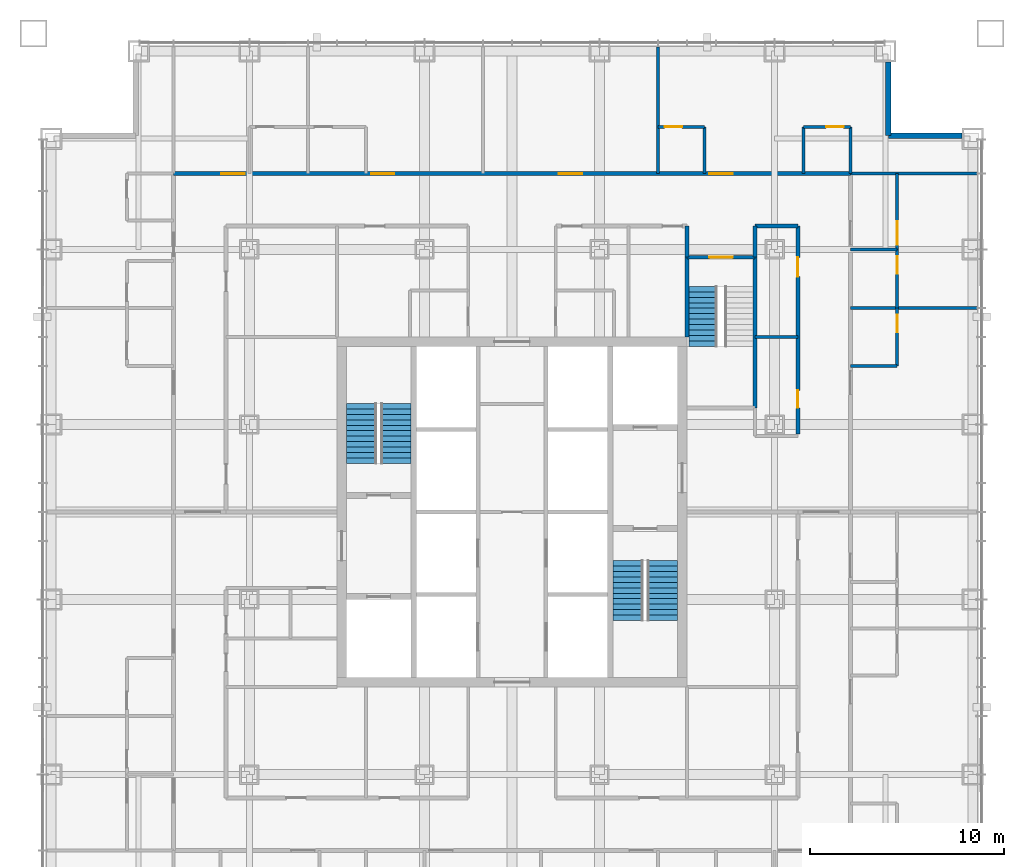
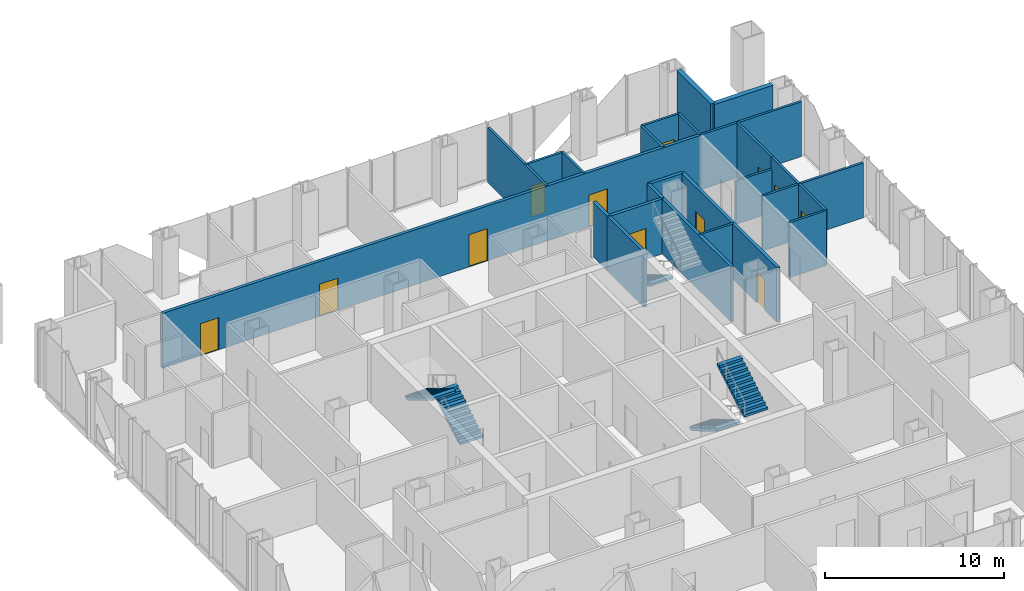
# One storey, part 12 of 14: 24 walls, 12 doors, 5 stair flights, 12 openings, 3 elements without a shape of their own.
"""IFC4 building model written with IfcOpenShell, lengths in metres."""

import ifcopenshell
import ifcopenshell.guid

model = None  # the IFC model being written
_history = None  # IfcOwnerHistory: only IFC2X3 demands one
_inside = {}  # id of a spatial element -> (the spatial element, [elements in it])
_under = {}  # id of a project, library or spatial element -> (it, [spatial elements below it])
_declared = {}  # id of a project -> (the project, [libraries it declares])
_typed = {}  # id of a type object -> (the type object, [elements of that type])
_made_of = {}  # id of a material, layer set ... -> (it, [elements and type objects made of it])


def new_model(schema):
    """Start an empty IFC model of exactly this schema.

    Asked for "IFC4X3", IfcOpenShell would pick the latest addendum, in which some entities
    have other attributes; the version numbers below select the first issue.
    IFC2X3 requires an IfcOwnerHistory on every rooted entity: one is made here for all.
    """
    global model, _history
    if schema == "IFC4X3":
        model = ifcopenshell.file(schema_version=(4, 3, 0, 0))
    else:
        model = ifcopenshell.file(schema=schema)
    _inside.clear()
    _under.clear()
    _declared.clear()
    _typed.clear()
    _made_of.clear()
    _history = None
    if model.schema == "IFC2X3":
        org = make("IfcOrganization", Name="unknown")
        user = make(
            "IfcPersonAndOrganization",
            ThePerson=make("IfcPerson", FamilyName="unknown"),
            TheOrganization=org,
        )
        app = make(
            "IfcApplication",
            ApplicationDeveloper=org,
            Version="unknown",
            ApplicationFullName="unknown",
            ApplicationIdentifier="unknown",
        )
        _history = make(
            "IfcOwnerHistory",
            OwningUser=user,
            OwningApplication=app,
            ChangeAction="ADDED",
            CreationDate=0,
        )
    return model


def make(cls, **values):
    """One entity of the class cls with the attributes given. An attribute that is None is left unset."""
    return model.create_entity(
        cls, **{name: value for name, value in values.items() if value is not None}
    )


def rooted(cls, **values):
    """An entity with a GlobalId (a new one), such as an element, a storey or a relation."""
    return make(cls, GlobalId=ifcopenshell.guid.new(), OwnerHistory=_history, **values)


def si_unit(unit_type, name, prefix=None):
    """IfcSIUnit, for example si_unit("LENGTHUNIT", "METRE", prefix="MILLI")."""
    return make("IfcSIUnit", UnitType=unit_type, Prefix=prefix, Name=name)


def assignment(units):
    """IfcUnitAssignment: the units of a project."""
    return None if units is None else make("IfcUnitAssignment", Units=units)


def point(xyz):
    """IfcCartesianPoint."""
    return None if xyz is None else make("IfcCartesianPoint", Coordinates=xyz)


def direction(xyz):
    """IfcDirection."""
    return None if xyz is None else make("IfcDirection", DirectionRatios=xyz)


def frame(location, z_axis=None, x_axis=None):
    """IfcAxis2Placement3D, a coordinate frame: its origin and axes. An axis left out is left unset."""
    return make(
        "IfcAxis2Placement3D",
        Location=point(location),
        Axis=direction(z_axis),
        RefDirection=direction(x_axis),
    )


def frame_2d(location, x_axis=None):
    """IfcAxis2Placement2D, a coordinate frame in the plane: its origin and x axis."""
    return make(
        "IfcAxis2Placement2D", Location=point(location), RefDirection=direction(x_axis)
    )


def origin():
    """The frame at (0, 0, 0) with its axes left unset."""
    return frame((0.0, 0.0, 0.0))


def place(relative_to, where):
    """IfcLocalPlacement: puts the frame where relative to a parent placement (None: the world)."""
    return make(
        "IfcLocalPlacement", PlacementRelTo=relative_to, RelativePlacement=where
    )


def context(
    kind, dimensions, precision=None, world=None, true_north=None, identifier=None
):
    """IfcGeometricRepresentationContext, for example the 3D "Model" context."""
    return make(
        "IfcGeometricRepresentationContext",
        ContextIdentifier=identifier,
        ContextType=kind,
        CoordinateSpaceDimension=dimensions,
        Precision=precision,
        WorldCoordinateSystem=world,
        TrueNorth=true_north,
    )


def subcontext(parent, identifier, kind, view, scale=None):
    """IfcGeometricRepresentationSubContext, for example "Body" below "Model"."""
    return make(
        "IfcGeometricRepresentationSubContext",
        ContextIdentifier=identifier,
        ContextType=kind,
        ParentContext=parent,
        TargetScale=scale,
        TargetView=view,
    )


def project(units=None, contexts=None):
    """IfcProject with its units and contexts."""
    return rooted(
        "IfcProject",
        Name="project",
        RepresentationContexts=contexts,
        UnitsInContext=assignment(units),
    )


def spatial(cls, under=None, at=None, **own):
    """A site, building, storey or space (cls), placed at a placement, below another one or the project."""
    s = rooted(cls, ObjectPlacement=at, **own)
    if under is not None:
        _under.setdefault(under.id(), (under, []))[1].append(s)
    return s


def polyline(points):
    """IfcPolyline through the points."""
    return make("IfcPolyline", Points=[point(p) for p in points])


def profile(cls, at=None, kind="AREA", **sizes):
    """A parametric profile (cls). Its sizes go by their IFC names, for example OverallWidth=200.0."""
    return make(cls, ProfileType=kind, Position=at, **sizes)


def rectangle(**sizes):
    """IfcRectangleProfileDef."""
    return profile("IfcRectangleProfileDef", **sizes)


def outline(outer, holes=None, kind="AREA"):
    """IfcArbitraryClosedProfileDef: a profile drawn as a closed curve; with holes, ...WithVoids."""
    if holes is None:
        return make("IfcArbitraryClosedProfileDef", ProfileType=kind, OuterCurve=outer)
    return make(
        "IfcArbitraryProfileDefWithVoids",
        ProfileType=kind,
        OuterCurve=outer,
        InnerCurves=holes,
    )


def extrude(swept, where, along, depth):
    """IfcExtrudedAreaSolid: the profile swept, set in the frame where, extruded along a direction by depth."""
    return make(
        "IfcExtrudedAreaSolid",
        SweptArea=swept,
        Position=where,
        ExtrudedDirection=direction(along),
        Depth=depth,
    )


def shape(context_of_items, identifier, shape_type, items):
    """IfcShapeRepresentation: the items that make up one representation, for example the "Body"."""
    return make(
        "IfcShapeRepresentation",
        ContextOfItems=context_of_items,
        RepresentationIdentifier=identifier,
        RepresentationType=shape_type,
        Items=items,
    )


def material(Name=None, Category=None):
    """IfcMaterial."""
    return make("IfcMaterial", Name=Name, Category=Category)


def layer(
    of_material, thickness, ventilated=None, Name=None, Category=None, Priority=None
):
    """IfcMaterialLayer: one layer of a wall or slab, of a material (None: an air gap)."""
    return make(
        "IfcMaterialLayer",
        Material=of_material,
        LayerThickness=thickness,
        IsVentilated=ventilated,
        Name=Name,
        Category=Category,
        Priority=Priority,
    )


def layer_set(layers, Name=None):
    """IfcMaterialLayerSet."""
    return make("IfcMaterialLayerSet", MaterialLayers=layers, LayerSetName=Name)


def made_of(thing, what):
    """Note that an element or type object is made of a material, layer set ...; save() writes the relation."""
    if what is not None:
        _made_of.setdefault(what.id(), (what, []))[1].append(thing)
    return thing


def type_object(cls, material=None, **own):
    """A type object (cls), such as IfcWallType, which elements share."""
    return made_of(rooted(cls, **own), material)


def element(
    cls,
    number,
    at=None,
    inside=None,
    cuts=None,
    type_object=None,
    material=None,
    context=None,
    identifier="Body",
    shape_type=None,
    held_by="IfcProductDefinitionShape",
    body=None,
    shapes=None,
    **own,
):
    """One element of the class cls, such as IfcWall. Its Tag is "e" and its number.

    at: its placement. inside: the storey or other place that contains it. cuts: it is an
    opening in that element (IfcRelVoidsElement). A single representation is given by context,
    identifier, shape_type and body (its items); several are given by shapes. held_by: the class
    of the entity that holds the representations. save() writes the other relations.
    """
    e = rooted(cls, Tag="e%d" % number, ObjectPlacement=at, **own)
    if body is not None:
        shapes = [shape(context, identifier, shape_type, body)]
    if shapes is not None:
        e.Representation = make(held_by, Representations=shapes)
    if inside is not None:
        _inside.setdefault(inside.id(), (inside, []))[1].append(e)
    if cuts is not None:
        rooted(
            "IfcRelVoidsElement", RelatingBuildingElement=cuts, RelatedOpeningElement=e
        )
    if type_object is not None:
        _typed.setdefault(type_object.id(), (type_object, []))[1].append(e)
    return made_of(e, material)


def fill(opening, filler):
    """IfcRelFillsElement: the door or window that sits in an opening."""
    return rooted(
        "IfcRelFillsElement",
        RelatingOpeningElement=opening,
        RelatedBuildingElement=filler,
    )


def aggregate(whole, parts):
    """IfcRelAggregates: a whole, such as a stair, and the parts it consists of."""
    return rooted("IfcRelAggregates", RelatingObject=whole, RelatedObjects=parts)


def save(model, path):
    """Write the relations noted so far, then the file.

    IfcRelAggregates (storeys below a building ...), IfcRelContainedInSpatialStructure (elements
    in a storey), IfcRelDefinesByType, IfcRelAssociatesMaterial and IfcRelDeclares: one each for
    every whole, place, type object, material and project.
    """
    for whole, parts in _under.values():
        aggregate(whole, parts)
    for where, things in _inside.values():
        rooted(
            "IfcRelContainedInSpatialStructure",
            RelatedElements=things,
            RelatingStructure=where,
        )
    for kind, things in _typed.values():
        rooted("IfcRelDefinesByType", RelatedObjects=things, RelatingType=kind)
    for what, things in _made_of.values():
        rooted("IfcRelAssociatesMaterial", RelatedObjects=things, RelatingMaterial=what)
    for by, libraries in _declared.values():
        rooted("IfcRelDeclares", RelatingContext=by, RelatedDefinitions=libraries)
    model.write(path)


model = new_model("IFC4")

# Units and contexts
model_context = context("Model", 3, precision=1e-05, world=origin(), true_north=direction((0.0, 1.0)))
body_context = subcontext(model_context, "Body", "Model", "MODEL_VIEW")
ifc_project = project(units=[si_unit("LENGTHUNIT", "METRE"), si_unit("AREAUNIT", "SQUARE_METRE"), si_unit("VOLUMEUNIT", "CUBIC_METRE"), si_unit("PLANEANGLEUNIT", "RADIAN"), si_unit("MASSUNIT", "GRAM", prefix="KILO")], contexts=[model_context])

# Site, building, storey
site_placement = place(None, origin())
site = spatial("IfcSite", under=ifc_project, at=site_placement, CompositionType="ELEMENT")
building_placement = place(site_placement, origin())
building = spatial("IfcBuilding", under=site, at=building_placement, Name="Malebo Sky Hospital", CompositionType="ELEMENT")
storey_placement = place(building_placement, frame((0.0, 0.0, 128.0)))
storey = spatial("IfcBuildingStorey", under=building, at=storey_placement, Name="L30", CompositionType="ELEMENT", Elevation=128.0)

# Wall, openings, doors
ifc_material_1 = material(Name="Gypsum board on steel studs", Category="steel")
ifc_layer_1 = layer(ifc_material_1, 0.199951171875)
ifc_layer_set_1 = layer_set([ifc_layer_1], Name="CORRIDOR WALL 200")
wall_type_1 = type_object("IfcWallType", Name="CORRIDOR WALL 200", PredefinedType="PARTITIONING", material=ifc_layer_set_1)
wall_1_placement = place(storey_placement, frame((42.60009765625, 79.39990234375, 0.0), z_axis=(0.0, 0.0, 1.0), x_axis=(1.0, 0.0, 0.0)))
wall_1 = element("IfcWall", 1, at=wall_1_placement, inside=storey, type_object=wall_type_1, Name="Corridor Wall 200 NCO", PredefinedType="PARTITIONING", context=body_context, shape_type="SweptSolid", body=[
    extrude(rectangle(XDim=34.7998046875, YDim=0.199951171875, at=frame_2d((17.39990234375, 0.0))), origin(), (0.0, 0.0, 1.0), 3.75),
])
opening_1_placement = place(wall_1_placement, frame((2.449951171875, 0.0, 0.0)))
opening_1 = element("IfcOpeningElement", 2, at=opening_1_placement, cuts=wall_1, Name="Opening D01", PredefinedType="OPENING", context=body_context, shape_type="SweptSolid", body=[
    extrude(rectangle(XDim=1.199951171875, YDim=2.199951171875, at=frame_2d((0.60009765625, 1.10009765625))), frame((0.0, 0.10986328125, 0.0), z_axis=(0.0, -1.0, 0.0), x_axis=(1.0, 0.0, 0.0)), (0.0, 0.0, 1.0), 0.219970703125),
])
opening_2_placement = place(wall_1_placement, frame((10.14990234375, 0.0, 0.0)))
opening_2 = element("IfcOpeningElement", 3, at=opening_2_placement, cuts=wall_1, Name="Opening D01", PredefinedType="OPENING", context=body_context, shape_type="SweptSolid", body=[
    extrude(rectangle(XDim=1.199951171875, YDim=2.199951171875, at=frame_2d((0.60009765625, 1.10009765625))), frame((0.0, 0.10986328125, 0.0), z_axis=(0.0, -1.0, 0.0), x_axis=(1.0, 0.0, 0.0)), (0.0, 0.0, 1.0), 0.219970703125),
])
opening_3_placement = place(wall_1_placement, frame((19.800048828125, 0.0, 0.0)))
opening_3 = element("IfcOpeningElement", 4, at=opening_3_placement, cuts=wall_1, Name="Opening D01", PredefinedType="OPENING", context=body_context, shape_type="SweptSolid", body=[
    extrude(rectangle(XDim=1.199951171875, YDim=2.199951171875, at=frame_2d((0.60009765625, 1.10009765625))), frame((0.0, 0.10986328125, 0.0), z_axis=(0.0, -1.0, 0.0), x_axis=(1.0, 0.0, 0.0)), (0.0, 0.0, 1.0), 0.219970703125),
])
opening_4_placement = place(wall_1_placement, frame((27.550048828125, 0.0, 0.0)))
opening_4 = element("IfcOpeningElement", 5, at=opening_4_placement, cuts=wall_1, Name="Opening D01", PredefinedType="OPENING", context=body_context, shape_type="SweptSolid", body=[
    extrude(rectangle(XDim=1.199951171875, YDim=2.199951171875, at=frame_2d((0.60009765625, 1.10009765625))), frame((0.0, 0.10986328125, 0.0), z_axis=(0.0, -1.0, 0.0), x_axis=(1.0, 0.0, 0.0)), (0.0, 0.0, 1.0), 0.219970703125),
])
ifc_material_2 = material(Name="Hardwood-faced door leaf in steel frame", Category="steel")
door_type_1 = type_object("IfcDoorType", Name="BED DOOR 1200", OperationType="SINGLE_SWING_LEFT", PredefinedType="DOOR", material=ifc_material_2)
door_1_placement = place(opening_1_placement, origin())
door_1 = element("IfcDoor", 6, at=door_1_placement, inside=storey, type_object=door_type_1, Name="Two-bed room door", OperationType="SINGLE_SWING_RIGHT", OverallHeight=2.199951171875, OverallWidth=1.199951171875, PredefinedType="DOOR", context=body_context, shape_type="SweptSolid", body=[
    extrude(rectangle(XDim=1.199951171875, YDim=2.199951171875, at=frame_2d((0.60009765625, 1.10009765625))), frame((0.0, 0.02490234375, 0.0), z_axis=(0.0, -1.0, 0.0), x_axis=(1.0, 0.0, 0.0)), (0.0, 0.0, 1.0), 0.050048828125),
])
fill(opening_1, door_1)
door_2_placement = place(opening_2_placement, origin())
door_2 = element("IfcDoor", 7, at=door_2_placement, inside=storey, type_object=door_type_1, Name="Two-bed room door", OperationType="SINGLE_SWING_LEFT", OverallHeight=2.199951171875, OverallWidth=1.199951171875, PredefinedType="DOOR", context=body_context, shape_type="SweptSolid", body=[
    extrude(rectangle(XDim=1.199951171875, YDim=2.199951171875, at=frame_2d((0.60009765625, 1.10009765625))), frame((0.0, 0.02490234375, 0.0), z_axis=(0.0, -1.0, 0.0), x_axis=(1.0, 0.0, 0.0)), (0.0, 0.0, 1.0), 0.050048828125),
])
fill(opening_2, door_2)
door_3_placement = place(opening_3_placement, origin())
door_3 = element("IfcDoor", 8, at=door_3_placement, inside=storey, type_object=door_type_1, Name="Therapy room door", OperationType="SINGLE_SWING_LEFT", OverallHeight=2.199951171875, OverallWidth=1.199951171875, PredefinedType="DOOR", context=body_context, shape_type="SweptSolid", body=[
    extrude(rectangle(XDim=1.199951171875, YDim=2.199951171875, at=frame_2d((0.60009765625, 1.10009765625))), frame((0.0, 0.02490234375, 0.0), z_axis=(0.0, -1.0, 0.0), x_axis=(1.0, 0.0, 0.0)), (0.0, 0.0, 1.0), 0.050048828125),
])
fill(opening_3, door_3)
door_4_placement = place(opening_4_placement, origin())
door_4 = element("IfcDoor", 9, at=door_4_placement, inside=storey, type_object=door_type_1, Name="Four-bed bay door", OperationType="SINGLE_SWING_LEFT", OverallHeight=2.199951171875, OverallWidth=1.199951171875, PredefinedType="DOOR", context=body_context, shape_type="SweptSolid", body=[
    extrude(rectangle(XDim=1.199951171875, YDim=2.199951171875, at=frame_2d((0.60009765625, 1.10009765625))), frame((0.0, 0.02490234375, 0.0), z_axis=(0.0, -1.0, 0.0), x_axis=(1.0, 0.0, 0.0)), (0.0, 0.0, 1.0), 0.050048828125),
])
fill(opening_4, door_4)

# Wall
wall_2_placement = place(storey_placement, frame((72.5, 76.699951171875, 0.0), z_axis=(0.0, 0.0, 1.0), x_axis=(1.0, 0.0, 0.0)))
element("IfcWall", 10, at=wall_2_placement, inside=storey, type_object=wall_type_1, Name="Corridor Wall 200 NCI2/2", PredefinedType="PARTITIONING", context=body_context, shape_type="SweptSolid", body=[
    extrude(rectangle(XDim=2.199951171875, YDim=0.199951171875, at=frame_2d((1.10009765625, 0.0))), origin(), (0.0, 0.0, 1.0), 3.75),
])

# Wall, openings, doors
wall_3_placement = place(storey_placement, frame((74.699951171875, 76.699951171875, 0.0), z_axis=(0.0, 0.0, 1.0), x_axis=(0.0, -1.0, 0.0)))
wall_3 = element("IfcWall", 11, at=wall_3_placement, inside=storey, type_object=wall_type_1, Name="Corridor Wall 200 ECI1", PredefinedType="PARTITIONING", context=body_context, shape_type="SweptSolid", body=[
    extrude(rectangle(XDim=10.699951171875, YDim=0.199951171875, at=frame_2d((5.35009765625, 0.0))), origin(), (0.0, 0.0, 1.0), 3.75),
])
opening_5_placement = place(wall_3_placement, frame((1.60009765625, 0.0, 0.0)))
opening_5 = element("IfcOpeningElement", 12, at=opening_5_placement, cuts=wall_3, Name="Opening D03", PredefinedType="OPENING", context=body_context, shape_type="SweptSolid", body=[
    extrude(rectangle(XDim=1.0, YDim=2.10009765625, at=frame_2d((0.5, 1.050048828125))), frame((0.0, 0.10986328125, 0.0), z_axis=(0.0, -1.0, 0.0), x_axis=(1.0, 0.0, 0.0)), (0.0, 0.0, 1.0), 0.219970703125),
])
opening_6_placement = place(wall_3_placement, frame((8.449951171875, 0.0, 0.0)))
opening_6 = element("IfcOpeningElement", 13, at=opening_6_placement, cuts=wall_3, Name="Opening D04", PredefinedType="OPENING", context=body_context, shape_type="SweptSolid", body=[
    extrude(rectangle(XDim=0.89990234375, YDim=2.10009765625, at=frame_2d((0.449951171875, 1.050048828125))), frame((0.0, 0.10986328125, 0.0), z_axis=(0.0, -1.0, 0.0), x_axis=(1.0, 0.0, 0.0)), (0.0, 0.0, 1.0), 0.219970703125),
])
door_type_2 = type_object("IfcDoorType", Name="ROOM DOOR 1000", OperationType="SINGLE_SWING_LEFT", PredefinedType="DOOR", material=ifc_material_2)
door_5_placement = place(opening_5_placement, origin())
door_5 = element("IfcDoor", 14, at=door_5_placement, inside=storey, type_object=door_type_2, Name="Clean utility room door", OperationType="SINGLE_SWING_LEFT", OverallHeight=2.10009765625, OverallWidth=1.0, PredefinedType="DOOR", context=body_context, shape_type="SweptSolid", body=[
    extrude(rectangle(XDim=1.0, YDim=2.10009765625, at=frame_2d((0.5, 1.050048828125))), frame((0.0, 0.02490234375, 0.0), z_axis=(0.0, -1.0, 0.0), x_axis=(1.0, 0.0, 0.0)), (0.0, 0.0, 1.0), 0.050048828125),
])
fill(opening_5, door_5)
door_type_3 = type_object("IfcDoorType", Name="ROOM DOOR 900", OperationType="SINGLE_SWING_LEFT", PredefinedType="DOOR", material=ifc_material_2)
door_6_placement = place(opening_6_placement, origin())
door_6 = element("IfcDoor", 15, at=door_6_placement, inside=storey, type_object=door_type_3, Name="Equipment store door", OperationType="SINGLE_SWING_RIGHT", OverallHeight=2.10009765625, OverallWidth=0.89990234375, PredefinedType="DOOR", context=body_context, shape_type="SweptSolid", body=[
    extrude(rectangle(XDim=0.89990234375, YDim=2.10009765625, at=frame_2d((0.449951171875, 1.050048828125))), frame((0.0, 0.02490234375, 0.0), z_axis=(0.0, -1.0, 0.0), x_axis=(1.0, 0.0, 0.0)), (0.0, 0.0, 1.0), 0.050048828125),
])
fill(opening_6, door_6)

# Walls
for number, where, z_axis, x_axis, name in (
    (16, (69.0, 75.10009765625, 0.0), (0.0, 0.0, 1.0), (0.0, 1.0, 0.0), "Corridor Wall 200 ST3AW"),
    (17, (72.5, 75.10009765625, 0.0), (0.0, 0.0, 1.0), (0.0, 1.0, 0.0), "Corridor Wall 200 ST3AE"),
):
    element("IfcWall", number, at=place(storey_placement, frame(where, z_axis=z_axis, x_axis=x_axis)), inside=storey, type_object=wall_type_1, Name=name, PredefinedType="PARTITIONING", context=body_context, shape_type="SweptSolid", body=[
        extrude(rectangle(XDim=1.599853515625, YDim=0.199951171875, at=frame_2d((0.7998046875, 0.0))), origin(), (0.0, 0.0, 1.0), 3.75),
    ])
ifc_material_3 = material(Name="Anodised aluminium rainscreen on steel framing", Category="steel")
ifc_layer_2 = layer(ifc_material_3, 0.300048828125)
ifc_layer_set_2 = layer_set([ifc_layer_2], Name="NOTCH RAINSCREEN WALL 300")
wall_type_2 = type_object("IfcWallType", Name="NOTCH RAINSCREEN WALL 300", PredefinedType="ELEMENTEDWALL", material=ifc_layer_set_2)
for number, where, z_axis, x_axis, name in (
    (18, (79.35009765625, 85.14990234375, 0.0), (0.0, 0.0, 1.0), (0.0, -1.0, 0.0), "Notch rainscreen wall N1 L30"),
    (19, (79.35009765625, 81.35009765625, 0.0), (0.0, 0.0, 1.0), (1.0, 0.0, 0.0), "Notch rainscreen wall N2 L30"),
):
    element("IfcWall", number, at=place(storey_placement, frame(where, z_axis=z_axis, x_axis=x_axis)), inside=storey, type_object=wall_type_2, Name=name, PredefinedType="ELEMENTEDWALL", context=body_context, shape_type="SweptSolid", body=[
        extrude(rectangle(XDim=3.7998046875, YDim=0.300048828125, at=frame_2d((1.89990234375, 0.0))), origin(), (0.0, 0.0, 1.0), 4.0),
    ])
ifc_layer_3 = layer(ifc_material_1, 0.14990234375)
ifc_layer_set_3 = layer_set([ifc_layer_3], Name="PARTITION 150")
wall_type_3 = type_object("IfcWallType", Name="PARTITION 150", PredefinedType="PARTITIONING", material=ifc_layer_set_3)
wall_4_placement = place(storey_placement, frame((67.5, 79.39990234375, 0.0), z_axis=(0.0, 0.0, 1.0), x_axis=(0.0, 1.0, 0.0)))
element("IfcWall", 20, at=wall_4_placement, inside=storey, type_object=wall_type_3, Name="Partition 150 NP+7.5", PredefinedType="PARTITIONING", context=body_context, shape_type="SweptSolid", body=[
    extrude(rectangle(XDim=6.510009765625, YDim=0.14990234375, at=frame_2d((3.2548828125, 0.0))), origin(), (0.0, 0.0, 1.0), 3.75),
])

# Wall, opening, door
wall_5_placement = place(storey_placement, frame((67.5, 81.800048828125, 0.0), z_axis=(0.0, 0.0, 1.0), x_axis=(1.0, 0.0, 0.0)))
wall_5 = element("IfcWall", 21, at=wall_5_placement, inside=storey, type_object=wall_type_3, Name="Partition 150 NE3F", PredefinedType="PARTITIONING", context=body_context, shape_type="SweptSolid", body=[
    extrude(rectangle(XDim=2.39990234375, YDim=0.14990234375, at=frame_2d((1.199951171875, 0.0))), origin(), (0.0, 0.0, 1.0), 3.75),
])
opening_7_placement = place(wall_5_placement, frame((0.35009765625, 0.0, 0.0)))
opening_7 = element("IfcOpeningElement", 22, at=opening_7_placement, cuts=wall_5, Name="Opening D02", PredefinedType="OPENING", context=body_context, shape_type="SweptSolid", body=[
    extrude(rectangle(XDim=0.89990234375, YDim=2.10009765625, at=frame_2d((0.449951171875, 1.050048828125))), frame((0.0, 0.0849609375, 0.0), z_axis=(0.0, -1.0, 0.0), x_axis=(1.0, 0.0, 0.0)), (0.0, 0.0, 1.0), 0.169921875),
])
door_type_4 = type_object("IfcDoorType", Name="EN-SUITE DOOR 900", OperationType="SINGLE_SWING_LEFT", PredefinedType="DOOR", material=ifc_material_2)
door_7_placement = place(opening_7_placement, origin())
door_7 = element("IfcDoor", 23, at=door_7_placement, inside=storey, type_object=door_type_4, Name="En-suite door", OperationType="SINGLE_SWING_LEFT", OverallHeight=2.10009765625, OverallWidth=0.89990234375, PredefinedType="DOOR", context=body_context, shape_type="SweptSolid", body=[
    extrude(rectangle(XDim=0.89990234375, YDim=2.10009765625, at=frame_2d((0.449951171875, 1.050048828125))), frame((0.0, 0.02490234375, 0.0), z_axis=(0.0, -1.0, 0.0), x_axis=(1.0, 0.0, 0.0)), (0.0, 0.0, 1.0), 0.050048828125),
])
fill(opening_7, door_7)

# Wall
wall_6_placement = place(storey_placement, frame((69.89990234375, 79.39990234375, 0.0), z_axis=(0.0, 0.0, 1.0), x_axis=(0.0, 1.0, 0.0)))
element("IfcWall", 24, at=wall_6_placement, inside=storey, type_object=wall_type_3, Name="Partition 150 NE3S", PredefinedType="PARTITIONING", context=body_context, shape_type="SweptSolid", body=[
    extrude(rectangle(XDim=2.400146484375, YDim=0.14990234375, at=frame_2d((1.2001953125, 0.0))), origin(), (0.0, 0.0, 1.0), 3.75),
])

# Wall, opening, door
wall_7_placement = place(storey_placement, frame((75.0, 81.800048828125, 0.0), z_axis=(0.0, 0.0, 1.0), x_axis=(1.0, 0.0, 0.0)))
wall_7 = element("IfcWall", 25, at=wall_7_placement, inside=storey, type_object=wall_type_3, Name="Partition 150 NG3F", PredefinedType="PARTITIONING", context=body_context, shape_type="SweptSolid", body=[
    extrude(rectangle(XDim=2.39990234375, YDim=0.14990234375, at=frame_2d((1.199951171875, 0.0))), origin(), (0.0, 0.0, 1.0), 3.75),
])
opening_8_placement = place(wall_7_placement, frame((1.14990234375, 0.0, 0.0)))
opening_8 = element("IfcOpeningElement", 26, at=opening_8_placement, cuts=wall_7, Name="Opening D02", PredefinedType="OPENING", context=body_context, shape_type="SweptSolid", body=[
    extrude(rectangle(XDim=0.89990234375, YDim=2.10009765625, at=frame_2d((0.449951171875, 1.050048828125))), frame((0.0, 0.0849609375, 0.0), z_axis=(0.0, -1.0, 0.0), x_axis=(1.0, 0.0, 0.0)), (0.0, 0.0, 1.0), 0.169921875),
])
door_8_placement = place(opening_8_placement, origin())
door_8 = element("IfcDoor", 27, at=door_8_placement, inside=storey, type_object=door_type_4, Name="En-suite door", OperationType="SINGLE_SWING_RIGHT", OverallHeight=2.10009765625, OverallWidth=0.89990234375, PredefinedType="DOOR", context=body_context, shape_type="SweptSolid", body=[
    extrude(rectangle(XDim=0.89990234375, YDim=2.10009765625, at=frame_2d((0.449951171875, 1.050048828125))), frame((0.0, 0.02490234375, 0.0), z_axis=(0.0, -1.0, 0.0), x_axis=(1.0, 0.0, 0.0)), (0.0, 0.0, 1.0), 0.050048828125),
])
fill(opening_8, door_8)

# Walls
for number, where, z_axis, x_axis, name in (
    (28, (75.0, 79.39990234375, 0.0), (0.0, 0.0, 1.0), (0.0, 1.0, 0.0), "Partition 150 NG3S"),
    (29, (77.39990234375, 79.39990234375, 0.0), (0.0, 0.0, 1.0), (0.0, 1.0, 0.0), "Partition 150 NEZ"),
):
    element("IfcWall", number, at=place(storey_placement, frame(where, z_axis=z_axis, x_axis=x_axis)), inside=storey, type_object=wall_type_3, Name=name, PredefinedType="PARTITIONING", context=body_context, shape_type="SweptSolid", body=[
        extrude(rectangle(XDim=2.400146484375, YDim=0.14990234375, at=frame_2d((1.2001953125, 0.0))), origin(), (0.0, 0.0, 1.0), 3.75),
    ])
for number, where, z_axis, x_axis, name in (
    (30, (77.39990234375, 72.5, 0.0), (0.0, 0.0, 1.0), (1.0, 0.0, 0.0), "Partition 150 EP-10.5"),
    (31, (77.39990234375, 79.39990234375, 0.0), (0.0, 0.0, 1.0), (1.0, 0.0, 0.0), "Partition 150 EP0"),
):
    element("IfcWall", number, at=place(storey_placement, frame(where, z_axis=z_axis, x_axis=x_axis)), inside=storey, type_object=wall_type_3, Name=name, PredefinedType="PARTITIONING", context=body_context, shape_type="SweptSolid", body=[
        extrude(rectangle(XDim=6.510009765625, YDim=0.14990234375, at=frame_2d((3.2548828125, 0.0))), origin(), (0.0, 0.0, 1.0), 3.75),
    ])

# Wall, opening, door
wall_8_placement = place(storey_placement, frame((79.800048828125, 75.5, 0.0), z_axis=(0.0, 0.0, 1.0), x_axis=(0.0, -1.0, 0.0)))
wall_8 = element("IfcWall", 32, at=wall_8_placement, inside=storey, type_object=wall_type_3, Name="Partition 150 EE0F", PredefinedType="PARTITIONING", context=body_context, shape_type="SweptSolid", body=[
    extrude(rectangle(XDim=3.0, YDim=0.14990234375, at=frame_2d((1.5, 0.0))), origin(), (0.0, 0.0, 1.0), 3.75),
])
opening_9_placement = place(wall_8_placement, frame((0.35009765625, 0.0, 0.0)))
opening_9 = element("IfcOpeningElement", 33, at=opening_9_placement, cuts=wall_8, Name="Opening D02", PredefinedType="OPENING", context=body_context, shape_type="SweptSolid", body=[
    extrude(rectangle(XDim=0.89990234375, YDim=2.10009765625, at=frame_2d((0.449951171875, 1.050048828125))), frame((0.0, 0.0849609375, 0.0), z_axis=(0.0, -1.0, 0.0), x_axis=(1.0, 0.0, 0.0)), (0.0, 0.0, 1.0), 0.169921875),
])
door_9_placement = place(opening_9_placement, origin())
door_9 = element("IfcDoor", 34, at=door_9_placement, inside=storey, type_object=door_type_4, Name="En-suite door", OperationType="SINGLE_SWING_LEFT", OverallHeight=2.10009765625, OverallWidth=0.89990234375, PredefinedType="DOOR", context=body_context, shape_type="SweptSolid", body=[
    extrude(rectangle(XDim=0.89990234375, YDim=2.10009765625, at=frame_2d((0.449951171875, 1.050048828125))), frame((0.0, 0.02490234375, 0.0), z_axis=(0.0, -1.0, 0.0), x_axis=(1.0, 0.0, 0.0)), (0.0, 0.0, 1.0), 0.050048828125),
])
fill(opening_9, door_9)

# Wall
wall_9_placement = place(storey_placement, frame((77.39990234375, 75.5, 0.0), z_axis=(0.0, 0.0, 1.0), x_axis=(1.0, 0.0, 0.0)))
element("IfcWall", 35, at=wall_9_placement, inside=storey, type_object=wall_type_3, Name="Partition 150 EE0S", PredefinedType="PARTITIONING", context=body_context, shape_type="SweptSolid", body=[
    extrude(rectangle(XDim=2.400146484375, YDim=0.14990234375, at=frame_2d((1.2001953125, 0.0))), origin(), (0.0, 0.0, 1.0), 2.949951171875),
])

# Wall, opening, door
wall_10_placement = place(storey_placement, frame((79.800048828125, 72.5, 0.0), z_axis=(0.0, 0.0, 1.0), x_axis=(0.0, -1.0, 0.0)))
wall_10 = element("IfcWall", 36, at=wall_10_placement, inside=storey, type_object=wall_type_3, Name="Partition 150 EE1F", PredefinedType="PARTITIONING", context=body_context, shape_type="SweptSolid", body=[
    extrude(rectangle(XDim=3.0, YDim=0.14990234375, at=frame_2d((1.5, 0.0))), origin(), (0.0, 0.0, 1.0), 3.75),
])
opening_10_placement = place(wall_10_placement, frame((0.35009765625, 0.0, 0.0)))
opening_10 = element("IfcOpeningElement", 37, at=opening_10_placement, cuts=wall_10, Name="Opening D02", PredefinedType="OPENING", context=body_context, shape_type="SweptSolid", body=[
    extrude(rectangle(XDim=0.89990234375, YDim=2.10009765625, at=frame_2d((0.449951171875, 1.050048828125))), frame((0.0, 0.0849609375, 0.0), z_axis=(0.0, -1.0, 0.0), x_axis=(1.0, 0.0, 0.0)), (0.0, 0.0, 1.0), 0.169921875),
])
door_10_placement = place(opening_10_placement, origin())
door_10 = element("IfcDoor", 38, at=door_10_placement, inside=storey, type_object=door_type_4, Name="En-suite door", OperationType="SINGLE_SWING_LEFT", OverallHeight=2.10009765625, OverallWidth=0.89990234375, PredefinedType="DOOR", context=body_context, shape_type="SweptSolid", body=[
    extrude(rectangle(XDim=0.89990234375, YDim=2.10009765625, at=frame_2d((0.449951171875, 1.050048828125))), frame((0.0, 0.02490234375, 0.0), z_axis=(0.0, -1.0, 0.0), x_axis=(1.0, 0.0, 0.0)), (0.0, 0.0, 1.0), 0.050048828125),
])
fill(opening_10, door_10)

# Walls
wall_11_placement = place(storey_placement, frame((77.39990234375, 69.5, 0.0), z_axis=(0.0, 0.0, 1.0), x_axis=(1.0, 0.0, 0.0)))
element("IfcWall", 39, at=wall_11_placement, inside=storey, type_object=wall_type_3, Name="Partition 150 EE1S", PredefinedType="PARTITIONING", context=body_context, shape_type="SweptSolid", body=[
    extrude(rectangle(XDim=2.400146484375, YDim=0.14990234375, at=frame_2d((1.2001953125, 0.0))), origin(), (0.0, 0.0, 1.0), 3.75),
])
wall_12_placement = place(storey_placement, frame((72.5, 71.0, 0.0), z_axis=(0.0, 0.0, 1.0), x_axis=(1.0, 0.0, 0.0)))
element("IfcWall", 40, at=wall_12_placement, inside=storey, type_object=wall_type_3, Name="Partition 150 ESP0", PredefinedType="PARTITIONING", context=body_context, shape_type="SweptSolid", body=[
    extrude(rectangle(XDim=2.199951171875, YDim=0.14990234375, at=frame_2d((1.10009765625, 0.0))), origin(), (0.0, 0.0, 1.0), 3.75),
])

# Wall, opening, door
ifc_material_4 = material(Name="Sealed gypsum board on steel studs, taped to the slab", Category="steel")
ifc_layer_4 = layer(ifc_material_4, 0.14990234375)
ifc_layer_set_4 = layer_set([ifc_layer_4], Name="SEALED ISOLATION PARTITION 150")
wall_type_4 = type_object("IfcWallType", Name="SEALED ISOLATION PARTITION 150", PredefinedType="PARTITIONING", material=ifc_layer_set_4)
wall_13_placement = place(storey_placement, frame((79.800048828125, 79.39990234375, 0.0), z_axis=(0.0, 0.0, 1.0), x_axis=(0.0, -1.0, 0.0)))
wall_13 = element("IfcWall", 41, at=wall_13_placement, inside=storey, type_object=wall_type_4, Name="Sealed Isolation Partition 150 EA0F", PredefinedType="PARTITIONING", context=body_context, shape_type="SweptSolid", body=[
    extrude(rectangle(XDim=3.89990234375, YDim=0.14990234375, at=frame_2d((1.949951171875, 0.0))), origin(), (0.0, 0.0, 1.0), 3.75),
])
opening_11_placement = place(wall_13_placement, frame((2.449951171875, 0.0, 0.0)))
opening_11 = element("IfcOpeningElement", 42, at=opening_11_placement, cuts=wall_13, Name="Opening D19", PredefinedType="OPENING", context=body_context, shape_type="SweptSolid", body=[
    extrude(rectangle(XDim=1.199951171875, YDim=2.199951171875, at=frame_2d((0.60009765625, 1.10009765625))), frame((0.0, 0.0849609375, 0.0), z_axis=(0.0, -1.0, 0.0), x_axis=(1.0, 0.0, 0.0)), (0.0, 0.0, 1.0), 0.169921875),
])
ifc_material_5 = material(Name="Hardwood-faced door leaf with perimeter seals in steel frame", Category="steel")
door_type_5 = type_object("IfcDoorType", Name="SEALED ISOLATION ROOM DOOR 1200", OperationType="SINGLE_SWING_LEFT", PredefinedType="DOOR", material=ifc_material_5)
door_11_placement = place(opening_11_placement, origin())
door_11 = element("IfcDoor", 43, at=door_11_placement, inside=storey, type_object=door_type_5, Name="Isolation room door", OperationType="SINGLE_SWING_RIGHT", OverallHeight=2.199951171875, OverallWidth=1.199951171875, PredefinedType="DOOR", context=body_context, shape_type="SweptSolid", body=[
    extrude(rectangle(XDim=1.199951171875, YDim=2.199951171875, at=frame_2d((0.60009765625, 1.10009765625))), frame((0.0, 0.02490234375, 0.0), z_axis=(0.0, -1.0, 0.0), x_axis=(1.0, 0.0, 0.0)), (0.0, 0.0, 1.0), 0.050048828125),
])
fill(opening_11, door_11)

# Walls
ifc_material_6 = material(Name="Concrete C40/50", Category="concrete")
ifc_layer_5 = layer(ifc_material_6, 0.199951171875)
ifc_layer_set_5 = layer_set([ifc_layer_5], Name="STAIR ENCLOSURE WALL 200")
wall_type_5 = type_object("IfcWallType", Name="STAIR ENCLOSURE WALL 200", PredefinedType="SOLIDWALL", material=ifc_layer_set_5)
wall_14_placement = place(storey_placement, frame((69.0, 71.0, 0.0), z_axis=(0.0, 0.0, 1.0), x_axis=(0.0, 1.0, 0.0)))
element("IfcWall", 44, at=wall_14_placement, inside=storey, type_object=wall_type_5, Name="Stair Enclosure Wall 200 ST3W", PredefinedType="SOLIDWALL", context=body_context, shape_type="SweptSolid", body=[
    extrude(rectangle(XDim=4.10009765625, YDim=0.199951171875, at=frame_2d((2.050048828125, 0.0))), origin(), (0.0, 0.0, 1.0), 3.75),
])
wall_15_placement = place(storey_placement, frame((72.5, 67.35009765625, 0.0), z_axis=(0.0, 0.0, 1.0), x_axis=(0.0, 1.0, 0.0)))
element("IfcWall", 45, at=wall_15_placement, inside=storey, type_object=wall_type_5, Name="Stair Enclosure Wall 200 ST3E", PredefinedType="SOLIDWALL", context=body_context, shape_type="SweptSolid", body=[
    extrude(rectangle(XDim=7.75, YDim=0.199951171875, at=frame_2d((3.875, 0.0))), origin(), (0.0, 0.0, 1.0), 3.75),
])

# Wall, opening, door
wall_16_placement = place(storey_placement, frame((69.0, 75.10009765625, 0.0), z_axis=(0.0, 0.0, 1.0), x_axis=(1.0, 0.0, 0.0)))
wall_16 = element("IfcWall", 46, at=wall_16_placement, inside=storey, type_object=wall_type_5, Name="Stair Enclosure Wall 200 ST3N", PredefinedType="SOLIDWALL", context=body_context, shape_type="SweptSolid", body=[
    extrude(rectangle(XDim=3.5, YDim=0.199951171875, at=frame_2d((1.75, 0.0))), origin(), (0.0, 0.0, 1.0), 3.75),
])
opening_12_placement = place(wall_16_placement, frame((1.14990234375, 0.0, 0.0)))
opening_12 = element("IfcOpeningElement", 47, at=opening_12_placement, cuts=wall_16, Name="Opening D08", PredefinedType="OPENING", context=body_context, shape_type="SweptSolid", body=[
    extrude(rectangle(XDim=1.199951171875, YDim=2.10009765625, at=frame_2d((0.60009765625, 1.050048828125))), frame((0.0, 0.10986328125, 0.0), z_axis=(0.0, -1.0, 0.0), x_axis=(1.0, 0.0, 0.0)), (0.0, 0.0, 1.0), 0.219970703125),
])
door_type_6 = type_object("IfcDoorType", Name="STAIR DOOR 1200", OperationType="SINGLE_SWING_LEFT", PredefinedType="DOOR", material=ifc_material_2)
door_12_placement = place(opening_12_placement, origin())
door_12 = element("IfcDoor", 48, at=door_12_placement, inside=storey, type_object=door_type_6, Name="Stair S3 door", OperationType="SINGLE_SWING_LEFT", OverallHeight=2.10009765625, OverallWidth=1.199951171875, PredefinedType="DOOR", context=body_context, shape_type="SweptSolid", body=[
    extrude(rectangle(XDim=1.199951171875, YDim=2.10009765625, at=frame_2d((0.60009765625, 1.050048828125))), frame((0.0, 0.02490234375, 0.0), z_axis=(0.0, -1.0, 0.0), x_axis=(1.0, 0.0, 0.0)), (0.0, 0.0, 1.0), 0.050048828125),
])
fill(opening_12, door_12)

# Stair, stair flight
stair_type_1 = type_object("IfcStairType", Name="HALF-TURN STAIR 1400 R167", PredefinedType="HALF_TURN_STAIR", material=ifc_material_6)
stair_1_placement = place(storey_placement, origin())
stair_1 = element("IfcStair", 49, at=stair_1_placement, inside=storey, type_object=stair_type_1, Name="Stair S3 L30 type ST1B", PredefinedType="HALF_TURN_STAIR")
stair_flight_type_1 = type_object("IfcStairFlightType", Name="STAIR FLIGHT 1400 R167", PredefinedType="STRAIGHT", material=ifc_material_6)
stair_flight_1_placement = place(storey_placement, frame((69.800048828125, 73.60009765625, 0.0), z_axis=(0.0, 0.0, 1.0), x_axis=(0.0, -1.0, 0.0)))
stair_flight_1 = element("IfcStairFlight", 50, at=stair_flight_1_placement, type_object=stair_flight_type_1, Name="S3 flight 1 type SF1B", NumberOfRisers=12, NumberOfTreads=11, PredefinedType="STRAIGHT", RiserHeight=0.166666667, TreadLength=0.28, context=body_context, shape_type="SweptSolid", body=[
    extrude(outline(polyline([(0.0, 0.0), (0.0, 0.166748046875), (0.280029296875, 0.166748046875), (0.280029296875, 0.333251953125), (0.56005859375, 0.333251953125), (0.56005859375, 0.5), (0.840087890625, 0.5), (0.840087890625, 0.666748046875), (1.1201171875, 0.666748046875), (1.1201171875, 0.833251953125), (1.39990234375, 0.833251953125), (1.39990234375, 1.0), (1.679931640625, 1.0), (1.679931640625, 1.166748046875), (1.9599609375, 1.166748046875), (1.9599609375, 1.333251953125), (2.239990234375, 1.333251953125), (2.239990234375, 1.5), (2.52001953125, 1.5), (2.52001953125, 1.666748046875), (2.800048828125, 1.666748046875), (2.800048828125, 1.833251953125), (3.080078125, 1.833251953125), (3.080078125, 2.0), (3.080078125, 1.658935546875), (0.29296875, 0.0), (0.0, 0.0)])), frame((0.0, 0.699951171875, 0.0), z_axis=(0.0, -1.0, 0.0), x_axis=(1.0, 0.0, 0.0)), (0.0, 0.0, 1.0), 1.39990234375),
])
aggregate(stair_1, [stair_flight_1])

# Stair, stair flights
stair_type_2 = type_object("IfcStairType", Name="HALF-TURN STAIR 1500 R167", PredefinedType="HALF_TURN_STAIR", material=ifc_material_6)
stair_2_placement = place(storey_placement, origin())
stair_2 = element("IfcStair", 51, at=stair_2_placement, inside=storey, type_object=stair_type_2, Name="Stair S1 L30 type ST1", PredefinedType="HALF_TURN_STAIR")
stair_flight_type_2 = type_object("IfcStairFlightType", Name="STAIR FLIGHT 1500 R167", PredefinedType="STRAIGHT", material=ifc_material_6)
stair_flight_2_placement = place(storey_placement, frame((54.050048828125, 64.5, 0.0), z_axis=(0.0, 0.0, 1.0), x_axis=(0.0, 1.0, 0.0)))
stair_flight_2 = element("IfcStairFlight", 52, at=stair_flight_2_placement, type_object=stair_flight_type_2, Name="S1 flight 1 type SF1", NumberOfRisers=12, NumberOfTreads=11, PredefinedType="STRAIGHT", RiserHeight=0.166666667, TreadLength=0.28, context=body_context, shape_type="SweptSolid", body=[
    extrude(outline(polyline([(0.0, 0.0), (0.0, 0.166748046875), (0.280029296875, 0.166748046875), (0.280029296875, 0.333251953125), (0.56005859375, 0.333251953125), (0.56005859375, 0.5), (0.840087890625, 0.5), (0.840087890625, 0.666748046875), (1.1201171875, 0.666748046875), (1.1201171875, 0.833251953125), (1.39990234375, 0.833251953125), (1.39990234375, 1.0), (1.679931640625, 1.0), (1.679931640625, 1.166748046875), (1.9599609375, 1.166748046875), (1.9599609375, 1.333251953125), (2.239990234375, 1.333251953125), (2.239990234375, 1.5), (2.52001953125, 1.5), (2.52001953125, 1.666748046875), (2.800048828125, 1.666748046875), (2.800048828125, 1.833251953125), (3.080078125, 1.833251953125), (3.080078125, 2.0), (3.080078125, 1.658935546875), (0.29296875, 0.0), (0.0, 0.0)])), frame((0.0, 0.75, 0.0), z_axis=(0.0, -1.0, 0.0), x_axis=(1.0, 0.0, 0.0)), (0.0, 0.0, 1.0), 1.5),
])
stair_flight_3_placement = place(storey_placement, frame((52.25, 67.580078125, 2.0), z_axis=(0.0, 0.0, 1.0), x_axis=(0.0, -1.0, 0.0)))
stair_flight_3 = element("IfcStairFlight", 53, at=stair_flight_3_placement, type_object=stair_flight_type_2, Name="S1 flight 2 type SF1", NumberOfRisers=12, NumberOfTreads=11, PredefinedType="STRAIGHT", RiserHeight=0.166666667, TreadLength=0.28, context=body_context, shape_type="SweptSolid", body=[
    extrude(outline(polyline([(0.0, 0.0), (0.0, 0.166748046875), (0.280029296875, 0.166748046875), (0.280029296875, 0.333251953125), (0.56005859375, 0.333251953125), (0.56005859375, 0.5), (0.840087890625, 0.5), (0.840087890625, 0.666748046875), (1.1201171875, 0.666748046875), (1.1201171875, 0.833251953125), (1.39990234375, 0.833251953125), (1.39990234375, 1.0), (1.679931640625, 1.0), (1.679931640625, 1.166748046875), (1.9599609375, 1.166748046875), (1.9599609375, 1.333251953125), (2.239990234375, 1.333251953125), (2.239990234375, 1.5), (2.52001953125, 1.5), (2.52001953125, 1.666748046875), (2.800048828125, 1.666748046875), (2.800048828125, 1.833251953125), (3.080078125, 1.833251953125), (3.080078125, 2.0), (3.080078125, 1.658935546875), (0.29296875, 0.0), (0.0, 0.0)])), frame((0.0, 0.75, 0.0), z_axis=(0.0, -1.0, 0.0), x_axis=(1.0, 0.0, 0.0)), (0.0, 0.0, 1.0), 1.5),
])
aggregate(stair_2, [stair_flight_2, stair_flight_3])

stair_3_placement = place(storey_placement, origin())
stair_3 = element("IfcStair", 54, at=stair_3_placement, inside=storey, type_object=stair_type_2, Name="Stair S2 L30 type ST1", PredefinedType="HALF_TURN_STAIR")
stair_flight_4_placement = place(storey_placement, frame((65.949951171875, 59.5, 0.0), z_axis=(0.0, 0.0, 1.0), x_axis=(0.0, -1.0, 0.0)))
stair_flight_4 = element("IfcStairFlight", 55, at=stair_flight_4_placement, type_object=stair_flight_type_2, Name="S2 flight 1 type SF1", NumberOfRisers=12, NumberOfTreads=11, PredefinedType="STRAIGHT", RiserHeight=0.166666667, TreadLength=0.28, context=body_context, shape_type="SweptSolid", body=[
    extrude(outline(polyline([(0.0, 0.0), (0.0, 0.166748046875), (0.280029296875, 0.166748046875), (0.280029296875, 0.333251953125), (0.56005859375, 0.333251953125), (0.56005859375, 0.5), (0.840087890625, 0.5), (0.840087890625, 0.666748046875), (1.1201171875, 0.666748046875), (1.1201171875, 0.833251953125), (1.39990234375, 0.833251953125), (1.39990234375, 1.0), (1.679931640625, 1.0), (1.679931640625, 1.166748046875), (1.9599609375, 1.166748046875), (1.9599609375, 1.333251953125), (2.239990234375, 1.333251953125), (2.239990234375, 1.5), (2.52001953125, 1.5), (2.52001953125, 1.666748046875), (2.800048828125, 1.666748046875), (2.800048828125, 1.833251953125), (3.080078125, 1.833251953125), (3.080078125, 2.0), (3.080078125, 1.658935546875), (0.29296875, 0.0), (0.0, 0.0)])), frame((0.0, 0.75, 0.0), z_axis=(0.0, -1.0, 0.0), x_axis=(1.0, 0.0, 0.0)), (0.0, 0.0, 1.0), 1.5),
])
stair_flight_5_placement = place(storey_placement, frame((67.75, 56.419921875, 2.0), z_axis=(0.0, 0.0, 1.0), x_axis=(0.0, 1.0, 0.0)))
stair_flight_5 = element("IfcStairFlight", 56, at=stair_flight_5_placement, type_object=stair_flight_type_2, Name="S2 flight 2 type SF1", NumberOfRisers=12, NumberOfTreads=11, PredefinedType="STRAIGHT", RiserHeight=0.166666667, TreadLength=0.28, context=body_context, shape_type="SweptSolid", body=[
    extrude(outline(polyline([(0.0, 0.0), (0.0, 0.166748046875), (0.280029296875, 0.166748046875), (0.280029296875, 0.333251953125), (0.56005859375, 0.333251953125), (0.56005859375, 0.5), (0.840087890625, 0.5), (0.840087890625, 0.666748046875), (1.1201171875, 0.666748046875), (1.1201171875, 0.833251953125), (1.39990234375, 0.833251953125), (1.39990234375, 1.0), (1.679931640625, 1.0), (1.679931640625, 1.166748046875), (1.9599609375, 1.166748046875), (1.9599609375, 1.333251953125), (2.239990234375, 1.333251953125), (2.239990234375, 1.5), (2.52001953125, 1.5), (2.52001953125, 1.666748046875), (2.800048828125, 1.666748046875), (2.800048828125, 1.833251953125), (3.080078125, 1.833251953125), (3.080078125, 2.0), (3.080078125, 1.658935546875), (0.29296875, 0.0), (0.0, 0.0)])), frame((0.0, 0.75, 0.0), z_axis=(0.0, -1.0, 0.0), x_axis=(1.0, 0.0, 0.0)), (0.0, 0.0, 1.0), 1.5),
])
aggregate(stair_3, [stair_flight_4, stair_flight_5])

save(model, "model.ifc")
